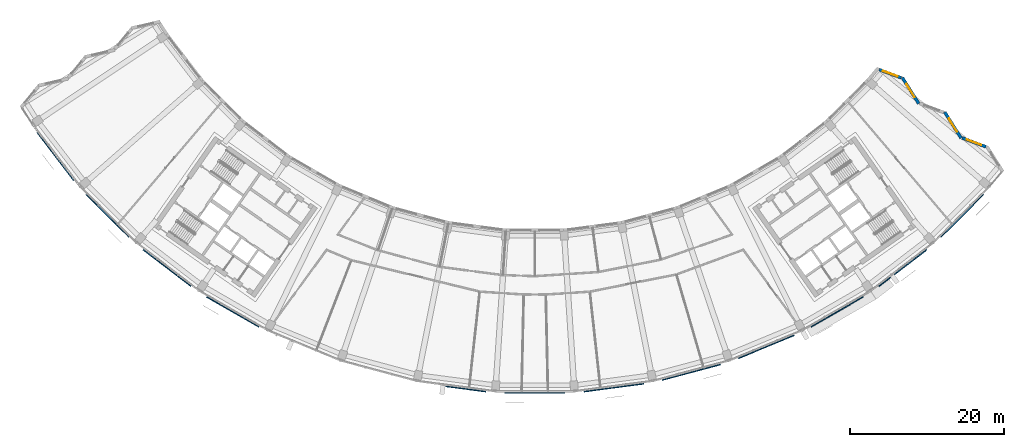
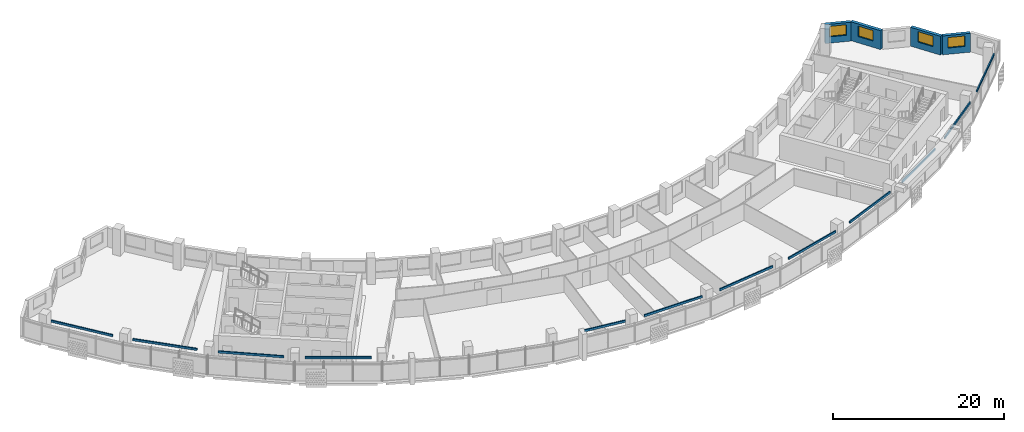
# One storey, part 8 of 28: 12 discrete accessories, 4 walls, 4 windows, 4 openings.
"""IFC4 building model written with IfcOpenShell, lengths in metres."""

from ifc_helpers import new_model, si_unit, direction, frame, frame_2d, origin, origin_2d, place, context, subcontext, project, spatial, rectangle, extrude, material, layer, layer_set, type_object, element, fill, save


model = new_model("IFC4")

# Units and contexts
model_context = context("Model", 3, precision=1e-05, world=origin(), true_north=direction((0.0, 1.0)))
body_context = subcontext(model_context, "Body", "Model", "MODEL_VIEW")
ifc_project = project(units=[si_unit("LENGTHUNIT", "METRE"), si_unit("AREAUNIT", "SQUARE_METRE"), si_unit("VOLUMEUNIT", "CUBIC_METRE"), si_unit("PLANEANGLEUNIT", "RADIAN"), si_unit("MASSUNIT", "GRAM", prefix="KILO")], contexts=[model_context])

# Site, building, storey
site_placement = place(None, origin())
site = spatial("IfcSite", under=ifc_project, at=site_placement, CompositionType="ELEMENT")
building_placement = place(site_placement, origin())
building = spatial("IfcBuilding", under=site, at=building_placement, Name="Qamariyya Broadcast Tower", CompositionType="ELEMENT")
storey_placement = place(building_placement, frame((0.0, 0.0, 230.300048828125)))
storey = spatial("IfcBuildingStorey", under=building, at=storey_placement, Name="L55", CompositionType="ELEMENT", Elevation=230.300048828125)

# Wall, opening, window
ifc_material_1 = material(Name="Terracotta", Category="masonry")
ifc_layer = layer(ifc_material_1, 0.39990234375)
ifc_layer_set = layer_set([ifc_layer], Name="Terracotta clad wall 400")
wall_type = type_object("IfcWallType", Name="Terracotta clad wall 400", PredefinedType="SOLIDWALL", material=ifc_layer_set)
wall_1_placement = place(storey_placement, frame((58.6416015625, -46.58203125, 0.0), z_axis=(0.0, 0.0, 1.0), x_axis=(-0.93702240721, 0.349269249129, 0.0)))
wall_1 = element("IfcWall", 1, at=wall_1_placement, inside=storey, type_object=wall_type, Name="e-wl-L55-capE1", PredefinedType="SOLIDWALL", context=body_context, shape_type="SweptSolid", body=[
    extrude(rectangle(XDim=3.3056640625, YDim=0.39990234375, at=frame_2d((1.65283203125, 0.0))), origin(), (0.0, 0.0, 1.0), 2.699951171875),
])
opening_1_placement = place(wall_1_placement, frame((0.652587890625, 0.0, 0.89990234375)))
opening_1 = element("IfcOpeningElement", 2, at=opening_1_placement, cuts=wall_1, Name="Opening W4", PredefinedType="OPENING", context=body_context, shape_type="SweptSolid", body=[
    extrude(rectangle(XDim=2.0, YDim=1.5, at=frame_2d((1.0, 0.75))), frame((0.0, 0.2099609375, 0.0), z_axis=(0.0, -1.0, 0.0), x_axis=(1.0, 0.0, 0.0)), (0.0, 0.0, 1.0), 0.419921875),
])
ifc_material_2 = material(Name="Clear low-e double glazed unit in aluminium frame", Category="aluminium")
window_type = type_object("IfcWindowType", Name="Horn bay window 2000 x 1500", PartitioningType="SINGLE_PANEL", PredefinedType="WINDOW", material=ifc_material_2)
window_1_placement = place(opening_1_placement, origin())
window_1 = element("IfcWindow", 3, at=window_1_placement, inside=storey, type_object=window_type, Name="e-w-L55-capE1", OverallHeight=1.5, OverallWidth=2.0, PartitioningType="SINGLE_PANEL", PredefinedType="WINDOW", context=body_context, shape_type="SweptSolid", body=[
    extrude(rectangle(XDim=2.0, YDim=1.5, at=frame_2d((1.0, 0.75))), frame((0.0, 0.030029296875, 0.0), z_axis=(0.0, -1.0, 0.0), x_axis=(1.0, 0.0, 0.0)), (0.0, 0.0, 1.0), 0.06005859375),
])
fill(opening_1, window_1)

wall_2_placement = place(storey_placement, frame((55.405517578125, -45.453369140625, 0.0), z_axis=(0.0, 0.0, 1.0), x_axis=(-0.533064326492, 0.846074715272, 0.0)))
wall_2 = element("IfcWall", 4, at=wall_2_placement, inside=storey, type_object=wall_type, Name="e-wl-L55-capE2", PredefinedType="SOLIDWALL", context=body_context, shape_type="SweptSolid", body=[
    extrude(rectangle(XDim=3.997314453125, YDim=0.39990234375, at=frame_2d((1.99853515625, 0.0))), origin(), (0.0, 0.0, 1.0), 2.699951171875),
])
opening_2_placement = place(wall_2_placement, frame((0.998779296875, 0.0, 0.89990234375)))
opening_2 = element("IfcOpeningElement", 5, at=opening_2_placement, cuts=wall_2, Name="Opening W4", PredefinedType="OPENING", context=body_context, shape_type="SweptSolid", body=[
    extrude(rectangle(XDim=2.0, YDim=1.5, at=frame_2d((1.0, 0.75))), frame((0.0, 0.2099609375, 0.0), z_axis=(0.0, -1.0, 0.0), x_axis=(1.0, 0.0, 0.0)), (0.0, 0.0, 1.0), 0.419921875),
])
window_2_placement = place(opening_2_placement, origin())
window_2 = element("IfcWindow", 6, at=window_2_placement, inside=storey, type_object=window_type, Name="e-w-L55-capE2", OverallHeight=1.5, OverallWidth=2.0, PartitioningType="SINGLE_PANEL", PredefinedType="WINDOW", context=body_context, shape_type="SweptSolid", body=[
    extrude(rectangle(XDim=2.0, YDim=1.5, at=frame_2d((1.0, 0.75))), frame((0.0, 0.030029296875, 0.0), z_axis=(0.0, -1.0, 0.0), x_axis=(1.0, 0.0, 0.0)), (0.0, 0.0, 1.0), 0.06005859375),
])
fill(opening_2, window_2)

wall_3_placement = place(storey_placement, frame((49.900634765625, -40.96923828125, 0.0), z_axis=(0.0, 0.0, 1.0), x_axis=(-0.533112837023, 0.846044149558, 0.0)))
wall_3 = element("IfcWall", 7, at=wall_3_placement, inside=storey, type_object=wall_type, Name="e-wl-L55-capE4", PredefinedType="SOLIDWALL", context=body_context, shape_type="SweptSolid", body=[
    extrude(rectangle(XDim=3.998291015625, YDim=0.39990234375, at=frame_2d((1.9990234375, 0.0))), origin(), (0.0, 0.0, 1.0), 2.699951171875),
])
opening_3_placement = place(wall_3_placement, frame((0.999267578125, 0.0, 0.89990234375)))
opening_3 = element("IfcOpeningElement", 8, at=opening_3_placement, cuts=wall_3, Name="Opening W4", PredefinedType="OPENING", context=body_context, shape_type="SweptSolid", body=[
    extrude(rectangle(XDim=2.0, YDim=1.5, at=frame_2d((1.0, 0.75))), frame((0.0, 0.2099609375, 0.0), z_axis=(0.0, -1.0, 0.0), x_axis=(1.0, 0.0, 0.0)), (0.0, 0.0, 1.0), 0.419921875),
])
window_3_placement = place(opening_3_placement, origin())
window_3 = element("IfcWindow", 9, at=window_3_placement, inside=storey, type_object=window_type, Name="e-w-L55-capE4", OverallHeight=1.5, OverallWidth=2.0, PartitioningType="SINGLE_PANEL", PredefinedType="WINDOW", context=body_context, shape_type="SweptSolid", body=[
    extrude(rectangle(XDim=2.0, YDim=1.5, at=frame_2d((1.0, 0.75))), frame((0.0, 0.030029296875, 0.0), z_axis=(0.0, -1.0, 0.0), x_axis=(1.0, 0.0, 0.0)), (0.0, 0.0, 1.0), 0.06005859375),
])
fill(opening_3, window_3)

wall_4_placement = place(storey_placement, frame((47.630126953125, -37.612548828125, 0.0), z_axis=(0.0, 0.0, 1.0), x_axis=(-0.937084161291, 0.34910353, 0.0)))
wall_4 = element("IfcWall", 10, at=wall_4_placement, inside=storey, type_object=wall_type, Name="e-wl-L55-capE5", PredefinedType="SOLIDWALL", context=body_context, shape_type="SweptSolid", body=[
    extrude(rectangle(XDim=3.06103515625, YDim=0.39990234375, at=frame_2d((1.530517578125, 0.0))), origin(), (0.0, 0.0, 1.0), 2.699951171875),
])
opening_4_placement = place(wall_4_placement, frame((0.530517578125, 0.0, 0.89990234375)))
opening_4 = element("IfcOpeningElement", 11, at=opening_4_placement, cuts=wall_4, Name="Opening W4", PredefinedType="OPENING", context=body_context, shape_type="SweptSolid", body=[
    extrude(rectangle(XDim=2.0, YDim=1.5, at=frame_2d((1.0, 0.75))), frame((0.0, 0.2099609375, 0.0), z_axis=(0.0, -1.0, 0.0), x_axis=(1.0, 0.0, 0.0)), (0.0, 0.0, 1.0), 0.419921875),
])
window_4_placement = place(opening_4_placement, origin())
window_4 = element("IfcWindow", 12, at=window_4_placement, inside=storey, type_object=window_type, Name="e-w-L55-capE5", OverallHeight=1.5, OverallWidth=2.0, PartitioningType="SINGLE_PANEL", PredefinedType="WINDOW", context=body_context, shape_type="SweptSolid", body=[
    extrude(rectangle(XDim=2.0, YDim=1.5, at=frame_2d((1.0, 0.75))), frame((0.0, 0.030029296875, 0.0), z_axis=(0.0, -1.0, 0.0), x_axis=(1.0, 0.0, 0.0)), (0.0, 0.0, 1.0), 0.06005859375),
])
fill(opening_4, window_4)

# Discrete accessories
ifc_material_3 = material(Name="Stainless steel 316", Category="steel")
discrete_accessory_type = type_object("IfcDiscreteAccessoryType", Name="Slab edge fixing angle, stainless steel", PredefinedType="BRACKET", material=ifc_material_3)
for number, where, z_axis, x_axis, name in (
    (13, (-62.3232421875, -47.822265625, 3.2998046875), (0.0, 0.0, 1.0), (0.608761429009, -0.793353340291, 0.0), "e-br-L55-01-0"),
    (14, (-55.5478515625, -55.5478515625, 3.2998046875), (0.0, 0.0, 1.0), (0.707106781187, -0.707106781187, 0.0), "e-br-L55-02-0"),
    (15, (-47.822265625, -62.3232421875, 3.2998046875), (0.0, 0.0, 1.0), (0.793353340291, -0.608761429009, 0.0), "e-br-L55-03-0"),
    (16, (-39.2783203125, -68.031982421875, 3.2998046875), (0.0, 0.0, 1.0), (0.866025403784, -0.5, 0.0), "e-br-L55-04-0"),
):
    element("IfcDiscreteAccessory", number, at=place(storey_placement, frame(where, z_axis=z_axis, x_axis=x_axis)), inside=storey, type_object=discrete_accessory_type, Name=name, PredefinedType="BRACKET", context=body_context, shape_type="SweptSolid", body=[
        extrude(rectangle(XDim=7.81591796875, YDim=0.14990234375, at=origin_2d()), origin(), (0.0, 0.0, 1.0), 0.300048828125),
    ])
discrete_accessory_placement = place(storey_placement, frame((-8.978759765625, -78.052490234375, 3.2998046875), z_axis=(0.0, 0.0, 1.0), x_axis=(0.991444861374, -0.13052619222, 0.0)))
element("IfcDiscreteAccessory", 17, at=discrete_accessory_placement, inside=storey, type_object=discrete_accessory_type, Name="e-br-L55-07-0", PredefinedType="BRACKET", context=body_context, shape_type="SweptSolid", body=[
    extrude(rectangle(XDim=5.243896484375, YDim=0.14990234375, at=origin_2d()), origin(), (0.0, 0.0, 1.0), 0.300048828125),
])
for number, where, z_axis, x_axis, name in (
    (18, (0.0, -78.556640625, 3.2998046875), (0.0, 0.0, 1.0), (1.0, 0.0, 0.0), "e-br-L55-08-0"),
    (19, (10.253662109375, -77.884521484375, 3.2998046875), (0.0, 0.0, 1.0), (0.991444861374, 0.13052619222, 0.0), "e-br-L55-09-0"),
    (20, (20.33203125, -75.8798828125, 3.2998046875), (0.0, 0.0, 1.0), (0.965925826289, 0.258819045103, 0.0), "e-br-L55-10-0"),
    (21, (30.062255859375, -72.576904296875, 3.2998046875), (0.0, 0.0, 1.0), (0.923879532511, 0.382683432365, 0.0), "e-br-L55-11-0"),
    (22, (39.2783203125, -68.031982421875, 3.2998046875), (0.0, 0.0, 1.0), (0.866025403784, 0.5, 0.0), "e-br-L55-12-0"),
    (23, (47.822265625, -62.3232421875, 3.2998046875), (0.0, 0.0, 1.0), (0.793353340291, 0.608761429009, 0.0), "e-br-L55-13-0"),
    (24, (55.5478515625, -55.5478515625, 3.2998046875), (0.0, 0.0, 1.0), (0.707106781187, 0.707106781187, 0.0), "e-br-L55-14-0"),
):
    element("IfcDiscreteAccessory", number, at=place(storey_placement, frame(where, z_axis=z_axis, x_axis=x_axis)), inside=storey, type_object=discrete_accessory_type, Name=name, PredefinedType="BRACKET", context=body_context, shape_type="SweptSolid", body=[
        extrude(rectangle(XDim=7.81591796875, YDim=0.14990234375, at=origin_2d()), origin(), (0.0, 0.0, 1.0), 0.300048828125),
    ])

save(model, "model.ifc")
